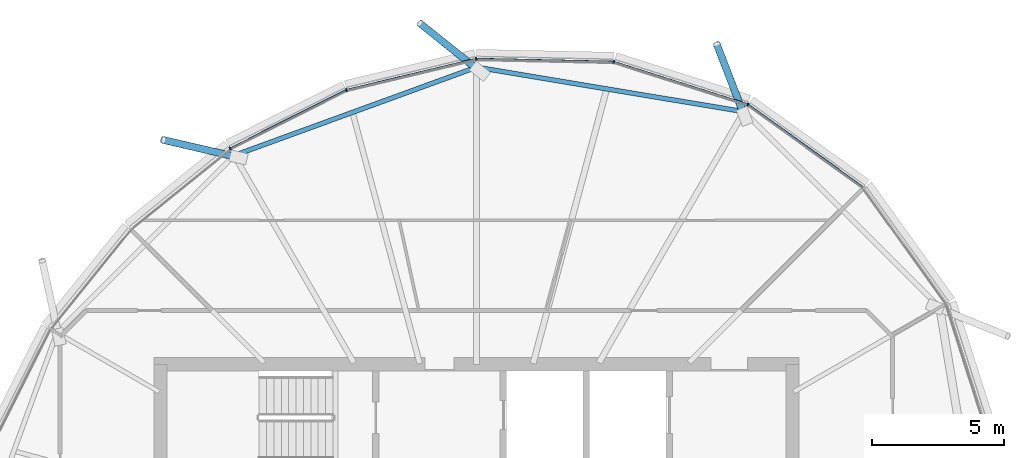
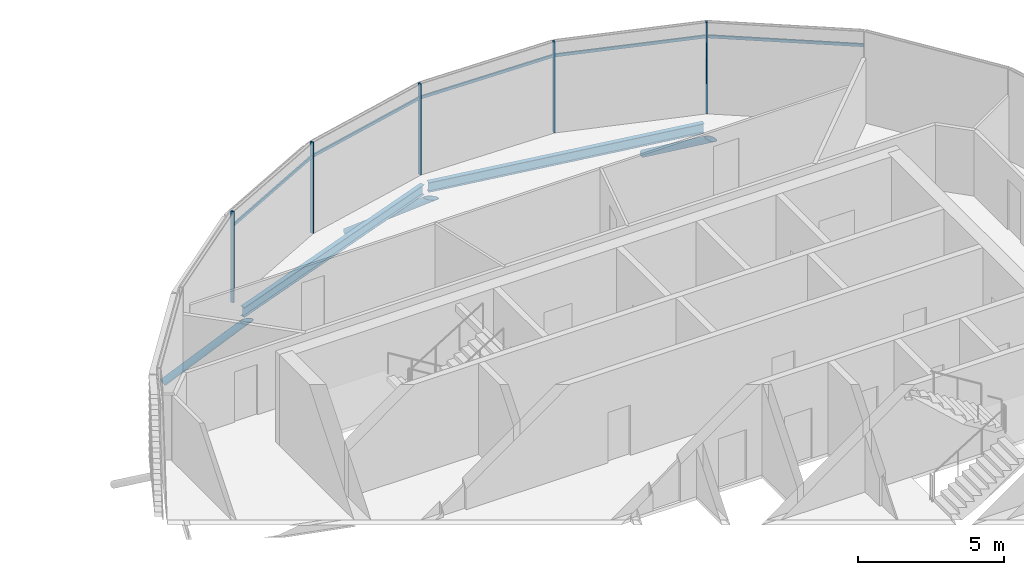
# One storey, part 16 of 35: 13 members, 2 beams, 1 element without a shape of its own.
"""IFC4 building model written with IfcOpenShell, lengths in metres."""

from ifc_helpers import new_model, si_unit, direction, frame, origin, origin_2d, place, context, subcontext, project, spatial, rectangle, hollow_circle, i_section, extrude, clip, halfspace, material, material_profile, profile_set, type_object, element, aggregate, save


model = new_model("IFC4")

# Units and contexts
model_context = context("Model", 3, precision=1e-05, world=origin(), true_north=direction((0.0, 1.0)))
body_context = subcontext(model_context, "Body", "Model", "MODEL_VIEW")
ifc_project = project(units=[si_unit("LENGTHUNIT", "METRE"), si_unit("AREAUNIT", "SQUARE_METRE"), si_unit("VOLUMEUNIT", "CUBIC_METRE"), si_unit("PLANEANGLEUNIT", "RADIAN"), si_unit("MASSUNIT", "GRAM", prefix="KILO")], contexts=[model_context])

# Site, building, storey
site_placement = place(None, origin())
site = spatial("IfcSite", under=ifc_project, at=site_placement, CompositionType="ELEMENT")
building_placement = place(site_placement, origin())
building = spatial("IfcBuilding", under=site, at=building_placement, Name="Rimbun Link Towers", CompositionType="ELEMENT")
storey_placement = place(building_placement, frame((0.0, 0.0, 229.5)))
storey = spatial("IfcBuildingStorey", under=building, at=storey_placement, Name="L56", CompositionType="ELEMENT", Elevation=229.5)

# Curtain wall, members
ifc_material_1 = material(Name="Aluminium 6063-T6 and low-iron glass", Category="aluminium")
curtain_wall_type = type_object("IfcCurtainWallType", Name="CW1-Z4 unitised vision wall (zone 4)", PredefinedType="NOTDEFINED", material=ifc_material_1)
curtain_wall_placement = place(storey_placement, origin())
curtain_wall = element("IfcCurtainWall", 1, at=curtain_wall_placement, inside=storey, type_object=curtain_wall_type, Name="CW1 L56 T2", PredefinedType="NOTDEFINED")
ifc_material_2 = material(Name="Aluminium 6063-T6", Category="aluminium")
ifc_material_profile_1 = material_profile(ifc_material_2, rectangle(XDim=0.1201171875, YDim=0.06005859375, at=origin_2d()), Name="MULLION 60X120")
ifc_profile_set_1 = profile_set([ifc_material_profile_1], Name="Aluminium 6063-T6")
member_type_1 = type_object("IfcMemberType", Name="CW1 mullion 60X120", PredefinedType="MULLION", material=ifc_profile_set_1)
member_1_placement = place(storey_placement, frame((42.06103515625, 17.8662109375, 0.0), z_axis=(0.0, 0.0, 1.0), x_axis=(0.448566803545, 0.893749306438, 0.0)))
member_1 = element("IfcMember", 2, at=member_1_placement, type_object=member_type_1, Name="CW1 mullion", PredefinedType="MULLION", context=body_context, shape_type="SweptSolid", body=[
    extrude(rectangle(XDim=0.1201171875, YDim=0.06005859375, at=origin_2d()), origin(), (0.0, 0.0, 1.0), 3.800048828125),
])
member_2_placement = place(storey_placement, frame((36.96533203125, 19.48681640625, 0.0), z_axis=(0.0, 0.0, 1.0), x_axis=(0.163741653209, 0.986503254432, 0.0)))
member_2 = element("IfcMember", 3, at=member_2_placement, type_object=member_type_1, Name="CW1 mullion", PredefinedType="MULLION", context=body_context, shape_type="SweptSolid", body=[
    extrude(rectangle(XDim=0.1201171875, YDim=0.06005859375, at=origin_2d()), origin(), (0.0, 0.0, 1.0), 3.800048828125),
])
member_3_placement = place(storey_placement, frame((31.74365234375, 19.596923828125, 0.0), z_axis=(0.0, 0.0, 1.0), x_axis=(-0.106637409565, 0.994297974895, 0.0)))
member_3 = element("IfcMember", 4, at=member_3_placement, type_object=member_type_1, Name="CW1 mullion", PredefinedType="MULLION", context=body_context, shape_type="SweptSolid", body=[
    extrude(rectangle(XDim=0.1201171875, YDim=0.06005859375, at=origin_2d()), origin(), (0.0, 0.0, 1.0), 3.800048828125),
])
member_4_placement = place(storey_placement, frame((26.809814453125, 18.4169921875, 0.0), z_axis=(0.0, 0.0, 1.0), x_axis=(-0.342964224935, 0.939348465914, 0.0)))
member_4 = element("IfcMember", 5, at=member_4_placement, type_object=member_type_1, Name="CW1 mullion", PredefinedType="MULLION", context=body_context, shape_type="SweptSolid", body=[
    extrude(rectangle(XDim=0.1201171875, YDim=0.06005859375, at=origin_2d()), origin(), (0.0, 0.0, 1.0), 3.800048828125),
])
member_5_placement = place(storey_placement, frame((22.393798828125, 16.199462890625, 0.0), z_axis=(0.0, 0.0, 1.0), x_axis=(-0.542097495214, 0.840315598857, 0.0)))
member_5 = element("IfcMember", 6, at=member_5_placement, type_object=member_type_1, Name="CW1 mullion", PredefinedType="MULLION", context=body_context, shape_type="SweptSolid", body=[
    extrude(rectangle(XDim=0.1201171875, YDim=0.06005859375, at=origin_2d()), origin(), (0.0, 0.0, 1.0), 3.800048828125),
])
ifc_material_3 = material(Name="Aluminium 6063-T6", Category="aluminium")
ifc_material_profile_2 = material_profile(ifc_material_3, rectangle(XDim=0.06005859375, YDim=0.1201171875, at=origin_2d()), Name="TRANSOM 60X120")
ifc_profile_set_2 = profile_set([ifc_material_profile_2], Name="Aluminium 6063-T6")
member_type_2 = type_object("IfcMemberType", Name="CW1 transom 60X120", PredefinedType="USERDEFINED", material=ifc_profile_set_2)
member_6_placement = place(storey_placement, frame((42.09228515625, 17.84228515625, 3.199951171875), z_axis=(0.812463796387, -0.583011646162, 0.0), x_axis=(0.583011646162, 0.812463796387, 0.0)))
member_6 = element("IfcMember", 7, at=member_6_placement, type_object=member_type_2, Name="CW1 transom", ObjectType="TRANSOM", PredefinedType="USERDEFINED", context=body_context, shape_type="SweptSolid", body=[
    extrude(rectangle(XDim=0.06005859375, YDim=0.1201171875, at=origin_2d()), origin(), (0.0, 0.0, 1.0), 5.3349609375),
])
member_7_placement = place(storey_placement, frame((37.001708984375, 19.473876953125, 3.199951171875), z_axis=(0.952970798274, -0.303062134943, 0.0), x_axis=(0.303062134943, 0.952970798274, 0.0)))
member_7 = element("IfcMember", 8, at=member_7_placement, type_object=member_type_2, Name="CW1 transom", ObjectType="TRANSOM", PredefinedType="USERDEFINED", context=body_context, shape_type="SweptSolid", body=[
    extrude(rectangle(XDim=0.06005859375, YDim=0.1201171875, at=origin_2d()), origin(), (0.0, 0.0, 1.0), 5.269287109375),
])
member_8_placement = place(storey_placement, frame((31.78125, 19.5947265625, 3.199951171875), z_axis=(0.999778172677, -0.021061942905, 0.0), x_axis=(0.021061942905, 0.999778172677, 0.0)))
member_8 = element("IfcMember", 9, at=member_8_placement, type_object=member_type_2, Name="CW1 transom", ObjectType="TRANSOM", PredefinedType="USERDEFINED", context=body_context, shape_type="SweptSolid", body=[
    extrude(rectangle(XDim=0.06005859375, YDim=0.1201171875, at=origin_2d()), origin(), (0.0, 0.0, 1.0), 5.146728515625),
])
member_9_placement = place(storey_placement, frame((26.845947265625, 18.424072265625, 3.199951171875), z_axis=(0.972574087873, 0.232593300846, 0.0), x_axis=(-0.232593300846, 0.972574087873, 0.0)))
member_9 = element("IfcMember", 10, at=member_9_placement, type_object=member_type_2, Name="CW1 transom", ObjectType="TRANSOM", PredefinedType="USERDEFINED", context=body_context, shape_type="SweptSolid", body=[
    extrude(rectangle(XDim=0.06005859375, YDim=0.1201171875, at=origin_2d()), origin(), (0.0, 0.0, 1.0), 4.99853515625),
])
member_10_placement = place(storey_placement, frame((22.427001953125, 16.21435546875, 3.199951171875), z_axis=(0.893633407688, 0.448797652248, 0.0), x_axis=(-0.448797652248, 0.893633407688, 0.0)))
member_10 = element("IfcMember", 11, at=member_10_placement, type_object=member_type_2, Name="CW1 transom", ObjectType="TRANSOM", PredefinedType="USERDEFINED", context=body_context, shape_type="SweptSolid", body=[
    extrude(rectangle(XDim=0.06005859375, YDim=0.1201171875, at=origin_2d()), origin(), (0.0, 0.0, 1.0), 4.8681640625),
])
aggregate(curtain_wall, [member_1, member_2, member_3, member_4, member_5, member_6, member_7, member_8, member_9, member_10])

# Members
ifc_material_4 = material(Name="Steel S355J2H", Category="steel")
ifc_material_profile_3 = material_profile(ifc_material_4, hollow_circle(Radius=0.136474609375, WallThickness=0.012451171875, at=origin_2d()), Name="CHS 273x12.5")
ifc_profile_set_3 = profile_set([ifc_material_profile_3], Name="Steel S355J2H")
member_type_3 = type_object("IfcMemberType", Name="Floor edge link CHS 273x12.5", PredefinedType="BRACE", material=ifc_profile_set_3)
member_11_placement = place(storey_placement, frame((41.881103515625, 17.547607421875, -0.857177734375), z_axis=(-0.301872897111, 0.783076228149, -0.543750287262), x_axis=(-0.933069970604, -0.359694912332, 0.0)))
element("IfcMember", 12, at=member_11_placement, inside=storey, type_object=member_type_3, Name="Floor edge link T2 L56 01", PredefinedType="BRACE", context=body_context, shape_type="Clipping", body=[
    clip(extrude(hollow_circle(Radius=0.136474609375, WallThickness=0.012451171875, at=origin_2d()), frame((0.0, 0.0, -0.439697265625)), (0.0, 0.0, 1.0), 3.788818359375), halfspace(frame((0.0, 0.0, -0.20703125), z_axis=(0.0, 0.839247058442, -0.543750287262)), False)),
])
member_12_placement = place(storey_placement, frame((31.75, 19.230224609375, -0.860107421875), z_axis=(-0.672616624461, 0.538504081041, -0.507543329383), x_axis=(-0.624985706309, -0.780636193697, 0.0)))
element("IfcMember", 13, at=member_12_placement, inside=storey, type_object=member_type_3, Name="Floor edge link T2 L56 03", PredefinedType="BRACE", context=body_context, shape_type="Clipping", body=[
    clip(extrude(hollow_circle(Radius=0.136474609375, WallThickness=0.012451171875, at=origin_2d()), frame((0.0, 0.0, -0.483154296875)), (0.0, 0.0, 1.0), 3.692626953125), halfspace(frame((0.0, 0.0, -0.2275390625), z_axis=(0.0, 0.861626234976, -0.507543329383)), False)),
])
member_13_placement = place(storey_placement, frame((22.577880859375, 15.88671875, -0.787109375), z_axis=(-0.812380329601, 0.1891022398, -0.551614487645), x_axis=(-0.226714331224, -0.973961299035, 0.0)))
element("IfcMember", 14, at=member_13_placement, inside=storey, type_object=member_type_3, Name="Floor edge link T2 L56 05", PredefinedType="BRACE", context=body_context, shape_type="Clipping", body=[
    clip(extrude(hollow_circle(Radius=0.136474609375, WallThickness=0.012451171875, at=origin_2d()), frame((0.0, 0.0, -0.430908203125)), (0.0, 0.0, 1.0), 3.806884765625), halfspace(frame((0.0, 0.0, -0.203125), z_axis=(0.0, 0.834099188958, -0.551614487645)), False)),
])

# Beams
ifc_material_5 = material(Name="Steel S355J2", Category="steel")
ifc_material_profile_4 = material_profile(ifc_material_5, i_section(OverallWidth=0.177978515625, OverallDepth=0.406494140625, WebThickness=0.0078125, FlangeThickness=0.0126953125, at=origin_2d()), Name="UB 406x178x60")
ifc_profile_set_4 = profile_set([ifc_material_profile_4], Name="Steel S355J2")
beam_type = type_object("IfcBeamType", Name="UB 406x178x60", PredefinedType="BEAM", material=ifc_profile_set_4)
beam_1_placement = place(storey_placement, frame((41.785400390625, 17.611083984375, -0.34326171875), z_axis=(-0.986447016606, 0.16408011284, 0.0), x_axis=(-0.16408011284, -0.986447016606, 0.0)))
element("IfcBeam", 15, at=beam_1_placement, inside=storey, type_object=beam_type, Name="Edge beam T2 L56 01-03", PredefinedType="BEAM", context=body_context, shape_type="SweptSolid", body=[
    extrude(i_section(OverallWidth=0.177978515625, OverallDepth=0.406494140625, WebThickness=0.0078125, FlangeThickness=0.0126953125, at=origin_2d()), origin(), (0.0, 0.0, 1.0), 10.056884765625),
])
beam_2_placement = place(storey_placement, frame((31.63525390625, 19.238525390625, -0.34326171875), z_axis=(-0.93959490992, -0.342288482501, 0.0), x_axis=(0.342288482501, -0.93959490992, 0.0)))
element("IfcBeam", 16, at=beam_2_placement, inside=storey, type_object=beam_type, Name="Edge beam T2 L56 03-05", PredefinedType="BEAM", context=body_context, shape_type="SweptSolid", body=[
    extrude(i_section(OverallWidth=0.177978515625, OverallDepth=0.406494140625, WebThickness=0.0078125, FlangeThickness=0.0126953125, at=origin_2d()), origin(), (0.0, 0.0, 1.0), 9.55908203125),
])

save(model, "model.ifc")
